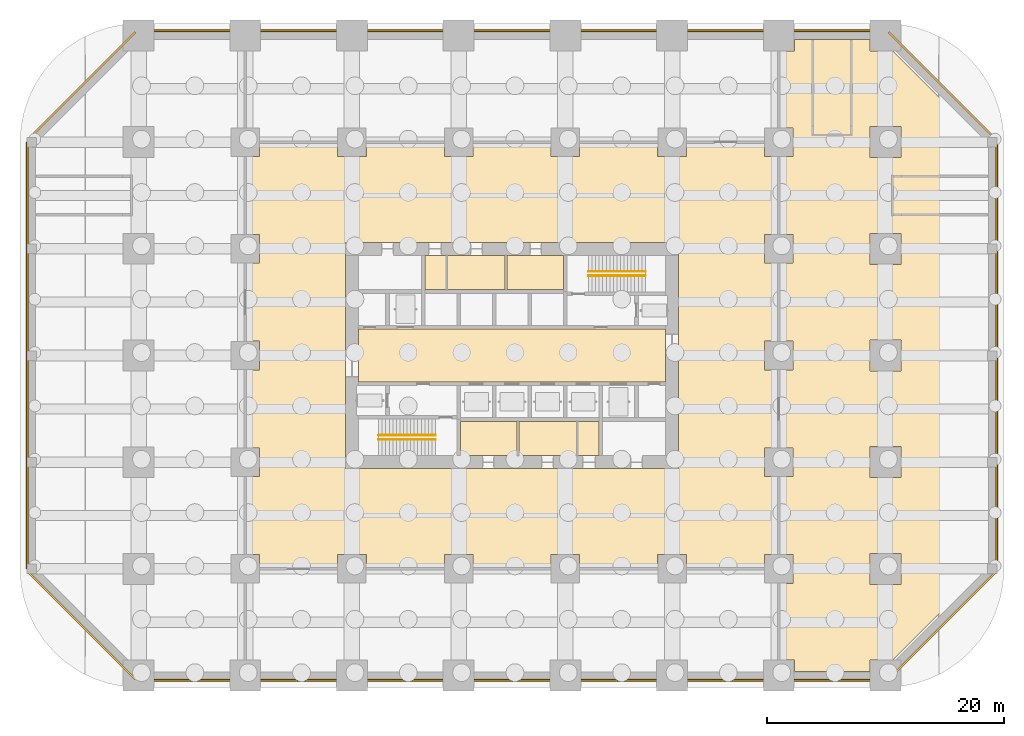
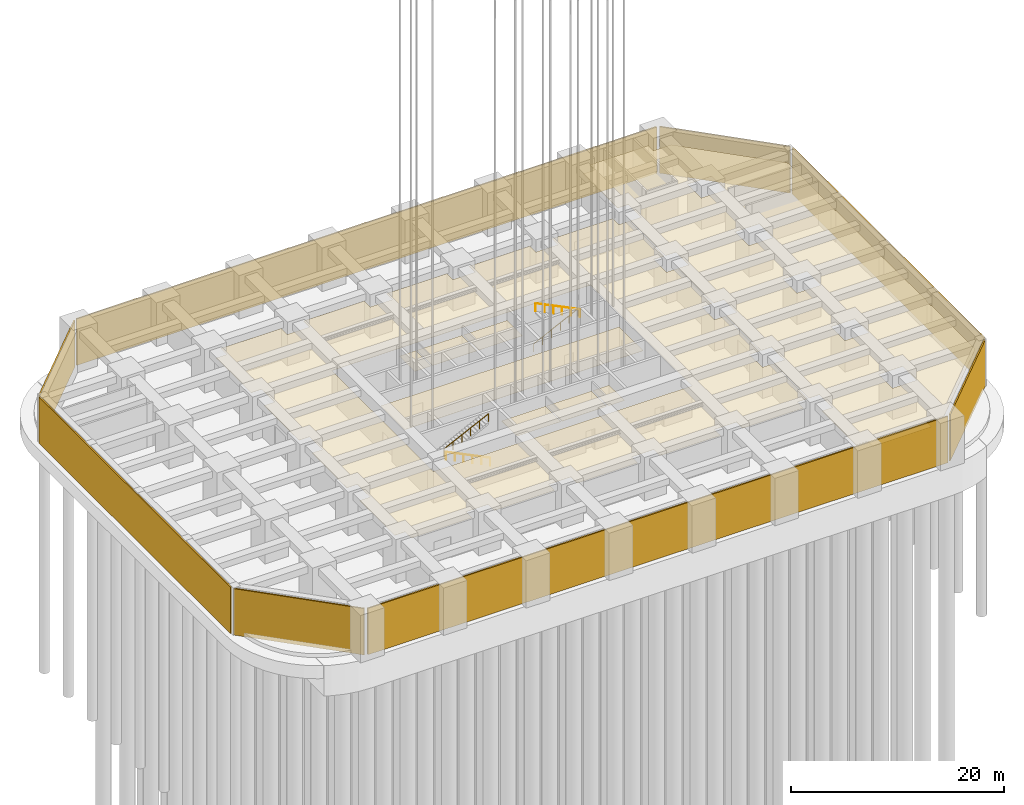
# One storey, part 7 of 24: 17 coverings, 4 railings.
"""IFC4 building model written with IfcOpenShell, lengths in metres."""

from ifc_helpers import new_model, si_unit, direction, frame, frame_2d, origin, origin_2d, place, context, subcontext, project, spatial, polyline, rectangle, circle, outline, extrude, material, layer, layer_set, type_object, element, save


model = new_model("IFC4")

# Units and contexts
model_context = context("Model", 3, precision=1e-05, world=origin(), true_north=direction((0.0, 1.0)))
body_context = subcontext(model_context, "Body", "Model", "MODEL_VIEW")
ifc_project = project(units=[si_unit("LENGTHUNIT", "METRE"), si_unit("AREAUNIT", "SQUARE_METRE"), si_unit("VOLUMEUNIT", "CUBIC_METRE"), si_unit("PLANEANGLEUNIT", "RADIAN"), si_unit("MASSUNIT", "GRAM", prefix="KILO")], contexts=[model_context])

# Site, building, storey
site_placement = place(None, origin())
site = spatial("IfcSite", under=ifc_project, at=site_placement, CompositionType="ELEMENT")
building_placement = place(site_placement, origin())
building = spatial("IfcBuilding", under=site, at=building_placement, Name="Zorevar Civic Tower", CompositionType="ELEMENT")
storey_placement = place(building_placement, frame((0.0, 0.0, -5.0)))
storey = spatial("IfcBuildingStorey", under=building, at=storey_placement, Name="B1", CompositionType="ELEMENT", Elevation=-5.0)

# Railings
ifc_material_1 = material(Name="Black steel handrail", Category="steel")
railing_type = type_object("IfcRailingType", Name="Handrail HR1 900", PredefinedType="HANDRAIL", material=ifc_material_1)
railing_1_placement = place(storey_placement, frame((25.050048828125, 19.925048828125, 0.14697265625)))
element("IfcRailing", 1, at=railing_1_placement, inside=storey, type_object=railing_type, Name="Handrail HR1 ST1 B1", PredefinedType="HANDRAIL", context=body_context, shape_type="SweptSolid", body=[
    extrude(circle(Radius=0.02392578125, at=origin_2d()), frame((0.0, 0.0, 0.8759765625), z_axis=(-0.89791612171, 0.0, 0.440166602973), x_axis=(0.0, -1.0, 0.0)), (0.0, 0.0, 1.0), 5.345703125),
    extrude(circle(Radius=0.02099609375, at=origin_2d()), origin(), (0.0, 0.0, 1.0), 0.851806640625),
    extrude(circle(Radius=0.02099609375, at=origin_2d()), frame((-0.9599609375, 0.0, 0.470703125)), (0.0, 0.0, 1.0), 0.851806640625),
    extrude(circle(Radius=0.02099609375, at=origin_2d()), frame((-1.919921875, 0.0, 0.941162109375)), (0.0, 0.0, 1.0), 0.851806640625),
    extrude(circle(Radius=0.02099609375, at=origin_2d()), frame((-2.880126953125, 0.0, 1.411865234375)), (0.0, 0.0, 1.0), 0.851806640625),
    extrude(circle(Radius=0.02099609375, at=origin_2d()), frame((-3.840087890625, 0.0, 1.88232421875)), (0.0, 0.0, 1.0), 0.851806640625),
    extrude(circle(Radius=0.02099609375, at=origin_2d()), frame((-4.800048828125, 0.0, 2.35302734375)), (0.0, 0.0, 1.0), 0.851806640625),
])
for number, where, name in (
    (2, (20.25, 20.27490234375, 2.64697265625), "Handrail HR1 ST1 B1"),
    (3, (37.949951171875, 34.074951171875, 0.14697265625), "Handrail HR1 ST2 B1"),
):
    element("IfcRailing", number, at=place(storey_placement, frame(where)), inside=storey, type_object=railing_type, Name=name, PredefinedType="HANDRAIL", context=body_context, shape_type="SweptSolid", body=[
        extrude(circle(Radius=0.02392578125, at=origin_2d()), frame((0.0, 0.0, 0.8759765625), z_axis=(0.89791612171, 0.0, 0.440166602973), x_axis=(0.0, 1.0, 0.0)), (0.0, 0.0, 1.0), 5.345703125),
        extrude(circle(Radius=0.02099609375, at=origin_2d()), origin(), (0.0, 0.0, 1.0), 0.851806640625),
        extrude(circle(Radius=0.02099609375, at=origin_2d()), frame((0.9599609375, 0.0, 0.470703125)), (0.0, 0.0, 1.0), 0.851806640625),
        extrude(circle(Radius=0.02099609375, at=origin_2d()), frame((1.919921875, 0.0, 0.941162109375)), (0.0, 0.0, 1.0), 0.851806640625),
        extrude(circle(Radius=0.02099609375, at=origin_2d()), frame((2.880126953125, 0.0, 1.411865234375)), (0.0, 0.0, 1.0), 0.851806640625),
        extrude(circle(Radius=0.02099609375, at=origin_2d()), frame((3.840087890625, 0.0, 1.88232421875)), (0.0, 0.0, 1.0), 0.851806640625),
        extrude(circle(Radius=0.02099609375, at=origin_2d()), frame((4.800048828125, 0.0, 2.35302734375)), (0.0, 0.0, 1.0), 0.851806640625),
    ])
railing_2_placement = place(storey_placement, frame((42.75, 33.72509765625, 2.64697265625)))
element("IfcRailing", 4, at=railing_2_placement, inside=storey, type_object=railing_type, Name="Handrail HR1 ST2 B1", PredefinedType="HANDRAIL", context=body_context, shape_type="SweptSolid", body=[
    extrude(circle(Radius=0.02392578125, at=origin_2d()), frame((0.0, 0.0, 0.8759765625), z_axis=(-0.89791612171, 0.0, 0.440166602973), x_axis=(0.0, -1.0, 0.0)), (0.0, 0.0, 1.0), 5.345703125),
    extrude(circle(Radius=0.02099609375, at=origin_2d()), origin(), (0.0, 0.0, 1.0), 0.851806640625),
    extrude(circle(Radius=0.02099609375, at=origin_2d()), frame((-0.9599609375, 0.0, 0.470703125)), (0.0, 0.0, 1.0), 0.851806640625),
    extrude(circle(Radius=0.02099609375, at=origin_2d()), frame((-1.919921875, 0.0, 0.941162109375)), (0.0, 0.0, 1.0), 0.851806640625),
    extrude(circle(Radius=0.02099609375, at=origin_2d()), frame((-2.880126953125, 0.0, 1.411865234375)), (0.0, 0.0, 1.0), 0.851806640625),
    extrude(circle(Radius=0.02099609375, at=origin_2d()), frame((-3.840087890625, 0.0, 1.88232421875)), (0.0, 0.0, 1.0), 0.851806640625),
    extrude(circle(Radius=0.02099609375, at=origin_2d()), frame((-4.800048828125, 0.0, 2.35302734375)), (0.0, 0.0, 1.0), 0.851806640625),
])

# Coverings
ifc_material_2 = material(Name="Moisture-resistant gypsum board")
ifc_layer_1 = layer(ifc_material_2, 0.012451171875)
ifc_layer_set_1 = layer_set([ifc_layer_1], Name="Moisture-resistant ceiling SC3")
covering_type_1 = type_object("IfcCoveringType", Name="Moisture-resistant ceiling SC3", PredefinedType="CEILING", material=ifc_layer_set_1)
covering_1_placement = place(storey_placement, frame((0.0, 0.0, 3.60009765625)))
element("IfcCovering", 5, at=covering_1_placement, inside=storey, type_object=covering_type_1, Name="Ceiling B1-05", PredefinedType="CEILING", context=body_context, shape_type="SweptSolid", body=[
    extrude(outline(polyline([(31.925048828125, 18.550048828125), (31.925048828125, 21.449951171875), (27.14990234375, 21.449951171875), (27.14990234375, 18.550048828125), (31.925048828125, 18.550048828125)])), origin(), (0.0, 0.0, 1.0), 0.012451171875),
])
covering_2_placement = place(storey_placement, frame((0.0, 0.0, 3.60009765625)))
element("IfcCovering", 6, at=covering_2_placement, inside=storey, type_object=covering_type_1, Name="Ceiling B1-06", PredefinedType="CEILING", context=body_context, shape_type="SweptSolid", body=[
    extrude(outline(polyline([(35.85009765625, 32.550048828125), (35.85009765625, 35.449951171875), (31.074951171875, 35.449951171875), (31.074951171875, 32.550048828125), (35.85009765625, 32.550048828125)])), origin(), (0.0, 0.0, 1.0), 0.012451171875),
])
covering_3_placement = place(storey_placement, frame((0.0, 0.0, 3.60009765625)))
element("IfcCovering", 7, at=covering_3_placement, inside=storey, type_object=covering_type_1, Name="Ceiling B1-07", PredefinedType="CEILING", context=body_context, shape_type="SweptSolid", body=[
    extrude(outline(polyline([(36.925048828125, 18.550048828125), (36.925048828125, 21.449951171875), (32.074951171875, 21.449951171875), (32.074951171875, 18.550048828125), (36.925048828125, 18.550048828125)])), origin(), (0.0, 0.0, 1.0), 0.012451171875),
])
covering_4_placement = place(storey_placement, frame((0.0, 0.0, 3.60009765625)))
element("IfcCovering", 8, at=covering_4_placement, inside=storey, type_object=covering_type_1, Name="Ceiling B1-08", PredefinedType="CEILING", context=body_context, shape_type="SweptSolid", body=[
    extrude(outline(polyline([(30.925048828125, 32.550048828125), (30.925048828125, 35.449951171875), (26.074951171875, 35.449951171875), (26.074951171875, 32.550048828125), (30.925048828125, 32.550048828125)])), origin(), (0.0, 0.0, 1.0), 0.012451171875),
])
covering_5_placement = place(storey_placement, frame((0.0, 0.0, 3.60009765625)))
element("IfcCovering", 9, at=covering_5_placement, inside=storey, type_object=covering_type_1, Name="Ceiling B1-09", PredefinedType="CEILING", context=body_context, shape_type="SweptSolid", body=[
    extrude(outline(polyline([(38.85009765625, 18.550048828125), (38.85009765625, 21.449951171875), (37.074951171875, 21.449951171875), (37.074951171875, 18.550048828125), (38.85009765625, 18.550048828125)])), origin(), (0.0, 0.0, 1.0), 0.012451171875),
])
covering_6_placement = place(storey_placement, frame((0.0, 0.0, 3.60009765625)))
element("IfcCovering", 10, at=covering_6_placement, inside=storey, type_object=covering_type_1, Name="Ceiling B1-10", PredefinedType="CEILING", context=body_context, shape_type="SweptSolid", body=[
    extrude(outline(polyline([(25.925048828125, 32.550048828125), (25.925048828125, 35.449951171875), (24.14990234375, 35.449951171875), (24.14990234375, 32.550048828125), (25.925048828125, 32.550048828125)])), origin(), (0.0, 0.0, 1.0), 0.012451171875),
])
ifc_material_3 = material(Name="Extruded polystyrene board")
ifc_layer_2 = layer(ifc_material_3, 0.14990234375)
ifc_layer_set_2 = layer_set([ifc_layer_2], Name="Perimeter insulation XP1 150")
covering_type_2 = type_object("IfcCoveringType", Name="Perimeter insulation XP1 150", PredefinedType="INSULATION", material=ifc_layer_set_2)
covering_7_placement = place(storey_placement, frame((0.0, -0.39990234375, -0.449951171875), z_axis=(0.0, 0.0, 1.0), x_axis=(1.0, 0.0, 0.0)))
element("IfcCovering", 11, at=covering_7_placement, inside=storey, type_object=covering_type_2, Name="Perimeter insulation RW-01", PredefinedType="INSULATION", context=body_context, shape_type="SweptSolid", body=[
    extrude(rectangle(XDim=63.0, YDim=0.14990234375, at=frame_2d((31.5, 0.0))), origin(), (0.0, 0.0, 1.0), 5.329833984375),
])
covering_8_placement = place(storey_placement, frame((72.39990234375, 9.0, -0.449951171875), z_axis=(0.0, 0.0, 1.0), x_axis=(0.0, 1.0, 0.0)))
element("IfcCovering", 12, at=covering_8_placement, inside=storey, type_object=covering_type_2, Name="Perimeter insulation RW-02", PredefinedType="INSULATION", context=body_context, shape_type="SweptSolid", body=[
    extrude(rectangle(XDim=36.0, YDim=0.14990234375, at=frame_2d((18.0, 0.0))), origin(), (0.0, 0.0, 1.0), 5.329833984375),
])
covering_9_placement = place(storey_placement, frame((63.0, 54.39990234375, -0.449951171875), z_axis=(0.0, 0.0, 1.0), x_axis=(-1.0, 0.0, 0.0)))
element("IfcCovering", 13, at=covering_9_placement, inside=storey, type_object=covering_type_2, Name="Perimeter insulation RW-03", PredefinedType="INSULATION", context=body_context, shape_type="SweptSolid", body=[
    extrude(rectangle(XDim=63.0, YDim=0.14990234375, at=frame_2d((31.5, 0.0))), origin(), (0.0, 0.0, 1.0), 5.329833984375),
])
covering_10_placement = place(storey_placement, frame((-9.39990234375, 45.0, -0.449951171875), z_axis=(0.0, 0.0, 1.0), x_axis=(0.0, -1.0, 0.0)))
element("IfcCovering", 14, at=covering_10_placement, inside=storey, type_object=covering_type_2, Name="Perimeter insulation RW-04", PredefinedType="INSULATION", context=body_context, shape_type="SweptSolid", body=[
    extrude(rectangle(XDim=36.0, YDim=0.14990234375, at=frame_2d((18.0, 0.0))), origin(), (0.0, 0.0, 1.0), 5.329833984375),
])
for number, where, z_axis, x_axis, name in (
    (15, (63.282958984375, -0.282958984375, -0.449951171875), (0.0, 0.0, 1.0), (0.707106781187, 0.707106781187, 0.0), "Perimeter insulation RW-05"),
    (16, (72.282958984375, 45.282958984375, -0.449951171875), (0.0, 0.0, 1.0), (-0.707106781187, 0.707106781187, 0.0), "Perimeter insulation RW-06"),
    (17, (-0.282958984375, 54.282958984375, -0.449951171875), (0.0, 0.0, 1.0), (-0.707106781187, -0.707106781187, 0.0), "Perimeter insulation RW-07"),
    (18, (-9.282958984375, 8.717041015625, -0.449951171875), (0.0, 0.0, 1.0), (0.707106781187, -0.707106781187, 0.0), "Perimeter insulation RW-08"),
):
    element("IfcCovering", number, at=place(storey_placement, frame(where, z_axis=z_axis, x_axis=x_axis)), inside=storey, type_object=covering_type_2, Name=name, PredefinedType="INSULATION", context=body_context, shape_type="SweptSolid", body=[
        extrude(rectangle(XDim=12.72802734375, YDim=0.14990234375, at=frame_2d((6.364013671875, 0.0))), origin(), (0.0, 0.0, 1.0), 5.329833984375),
    ])
ifc_material_4 = material(Name="Mineral fibre tiles on a concealed grid")
ifc_layer_3 = layer(ifc_material_4, 0.02001953125)
ifc_layer_set_3 = layer_set([ifc_layer_3], Name="Suspended ceiling SC1")
covering_type_3 = type_object("IfcCoveringType", Name="Suspended ceiling SC1", PredefinedType="CEILING", material=ifc_layer_set_3)
covering_11_placement = place(storey_placement, frame((0.0, 0.0, 3.60009765625)))
element("IfcCovering", 19, at=covering_11_placement, inside=storey, type_object=covering_type_3, Name="Ceiling B1-15", PredefinedType="CEILING", context=body_context, shape_type="SweptSolid", body=[
    extrude(outline(polyline([(44.449951171875, 24.75), (44.449951171875, 29.25), (18.550048828125, 29.25), (18.550048828125, 24.75), (44.449951171875, 24.75)])), origin(), (0.0, 0.0, 1.0), 0.02001953125),
])
covering_12_placement = place(storey_placement, frame((0.0, 0.0, 3.60009765625)))
element("IfcCovering", 20, at=covering_12_placement, inside=storey, type_object=covering_type_3, Name="Ceiling B1-17", PredefinedType="CEILING", context=body_context, shape_type="SweptSolid", body=[
    extrude(outline(polyline([(54.06005859375, 16.7900390625), (55.2099609375, 16.7900390625), (55.2099609375, 19.2099609375), (54.06005859375, 19.2099609375), (54.06005859375, 25.7900390625), (55.2099609375, 25.7900390625), (55.2099609375, 28.2099609375), (54.06005859375, 28.2099609375), (54.06005859375, 34.7900390625), (55.2099609375, 34.7900390625), (55.2099609375, 37.2099609375), (54.06005859375, 37.2099609375), (54.06005859375, 43.7900390625), (55.2099609375, 43.7900390625), (55.2099609375, 46.2099609375), (54.06005859375, 46.2099609375), (54.06005859375, 52.68994140625), (55.31005859375, 52.68994140625), (55.31005859375, 53.64990234375), (61.68994140625, 53.64990234375), (61.68994140625, 52.68994140625), (63.602783203125, 52.68994140625), (71.590087890625, 44.702880859375), (71.590087890625, 44.590087890625), (71.64990234375, 44.590087890625), (71.64990234375, 36.409912109375), (71.590087890625, 36.409912109375), (71.590087890625, 35.590087890625), (71.64990234375, 35.590087890625), (71.64990234375, 27.409912109375), (71.590087890625, 27.409912109375), (71.590087890625, 26.590087890625), (71.64990234375, 26.590087890625), (71.64990234375, 18.409912109375), (71.590087890625, 18.409912109375), (71.590087890625, 17.590087890625), (71.64990234375, 17.590087890625), (71.64990234375, 9.409912109375), (71.590087890625, 9.409912109375), (71.590087890625, 9.297119140625), (63.602783203125, 1.31005859375), (61.68994140625, 1.31005859375), (61.68994140625, 0.35009765625), (55.31005859375, 0.35009765625), (55.31005859375, 1.31005859375), (54.06005859375, 1.31005859375), (54.06005859375, 7.7900390625), (55.2099609375, 7.7900390625), (55.2099609375, 10.2099609375), (54.06005859375, 10.2099609375), (54.06005859375, 16.7900390625)]), holes=[polyline([(64.31005859375, 10.31005859375), (61.68994140625, 10.31005859375), (61.68994140625, 7.68994140625), (64.31005859375, 7.68994140625), (64.31005859375, 10.31005859375)]), polyline([(64.31005859375, 16.68994140625), (64.31005859375, 19.31005859375), (61.68994140625, 19.31005859375), (61.68994140625, 16.68994140625), (64.31005859375, 16.68994140625)]), polyline([(61.68994140625, 25.68994140625), (64.31005859375, 25.68994140625), (64.31005859375, 28.31005859375), (61.68994140625, 28.31005859375), (61.68994140625, 25.68994140625)]), polyline([(61.68994140625, 37.31005859375), (61.68994140625, 34.68994140625), (64.31005859375, 34.68994140625), (64.31005859375, 37.31005859375), (61.68994140625, 37.31005859375)]), polyline([(64.31005859375, 46.31005859375), (61.68994140625, 46.31005859375), (61.68994140625, 43.68994140625), (64.31005859375, 43.68994140625), (64.31005859375, 46.31005859375)])]), origin(), (0.0, 0.0, 1.0), 0.02001953125),
])
covering_13_placement = place(storey_placement, frame((0.0, 0.0, 3.60009765625)))
element("IfcCovering", 21, at=covering_13_placement, inside=storey, type_object=covering_type_3, Name="Ceiling B1-20", PredefinedType="CEILING", context=body_context, shape_type="SweptSolid", body=[
    extrude(outline(polyline([(52.7900390625, 28.2099609375), (52.7900390625, 25.7900390625), (53.93994140625, 25.7900390625), (53.93994140625, 19.2099609375), (52.7900390625, 19.2099609375), (52.7900390625, 16.7900390625), (53.93994140625, 16.7900390625), (53.93994140625, 10.2099609375), (52.7900390625, 10.2099609375), (52.7900390625, 9.06005859375), (46.2099609375, 9.06005859375), (46.2099609375, 10.2099609375), (43.7900390625, 10.2099609375), (43.7900390625, 9.06005859375), (37.2099609375, 9.06005859375), (37.2099609375, 10.2099609375), (34.7900390625, 10.2099609375), (34.7900390625, 9.06005859375), (28.2099609375, 9.06005859375), (28.2099609375, 10.2099609375), (25.7900390625, 10.2099609375), (25.7900390625, 9.06005859375), (19.2099609375, 9.06005859375), (19.2099609375, 10.2099609375), (16.7900390625, 10.2099609375), (16.7900390625, 9.06005859375), (10.2099609375, 9.06005859375), (10.2099609375, 10.2099609375), (9.06005859375, 10.2099609375), (9.06005859375, 16.7900390625), (10.2099609375, 16.7900390625), (10.2099609375, 19.2099609375), (9.06005859375, 19.2099609375), (9.06005859375, 25.7900390625), (10.2099609375, 25.7900390625), (10.2099609375, 28.2099609375), (9.06005859375, 28.2099609375), (9.06005859375, 34.7900390625), (10.2099609375, 34.7900390625), (10.2099609375, 37.2099609375), (9.06005859375, 37.2099609375), (9.06005859375, 43.7900390625), (10.2099609375, 43.7900390625), (10.2099609375, 44.93994140625), (16.7900390625, 44.93994140625), (16.7900390625, 43.7900390625), (19.2099609375, 43.7900390625), (19.2099609375, 44.93994140625), (25.7900390625, 44.93994140625), (25.7900390625, 43.7900390625), (28.2099609375, 43.7900390625), (28.2099609375, 44.93994140625), (34.7900390625, 44.93994140625), (34.7900390625, 43.7900390625), (37.2099609375, 43.7900390625), (37.2099609375, 44.93994140625), (43.7900390625, 44.93994140625), (43.7900390625, 43.7900390625), (46.2099609375, 43.7900390625), (46.2099609375, 44.93994140625), (52.7900390625, 44.93994140625), (52.7900390625, 43.7900390625), (53.93994140625, 43.7900390625), (53.93994140625, 37.2099609375), (52.7900390625, 37.2099609375), (52.7900390625, 34.7900390625), (53.93994140625, 34.7900390625), (53.93994140625, 28.2099609375), (52.7900390625, 28.2099609375)]), holes=[polyline([(17.449951171875, 17.449951171875), (45.550048828125, 17.449951171875), (45.550048828125, 36.550048828125), (17.449951171875, 36.550048828125), (17.449951171875, 17.449951171875)])]), origin(), (0.0, 0.0, 1.0), 0.02001953125),
])

save(model, "model.ifc")
